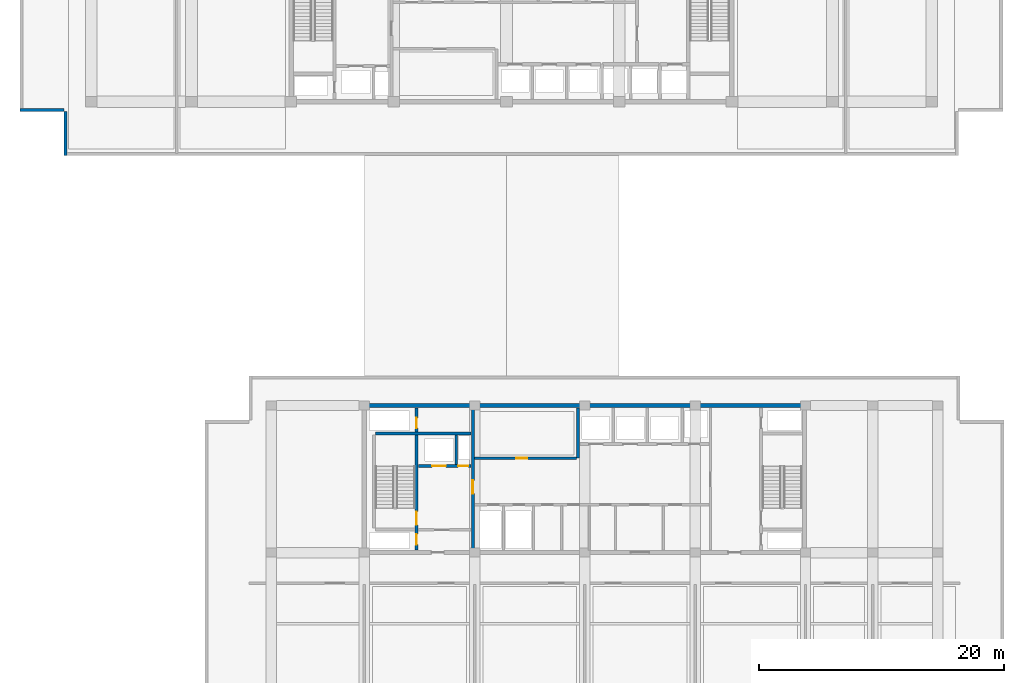
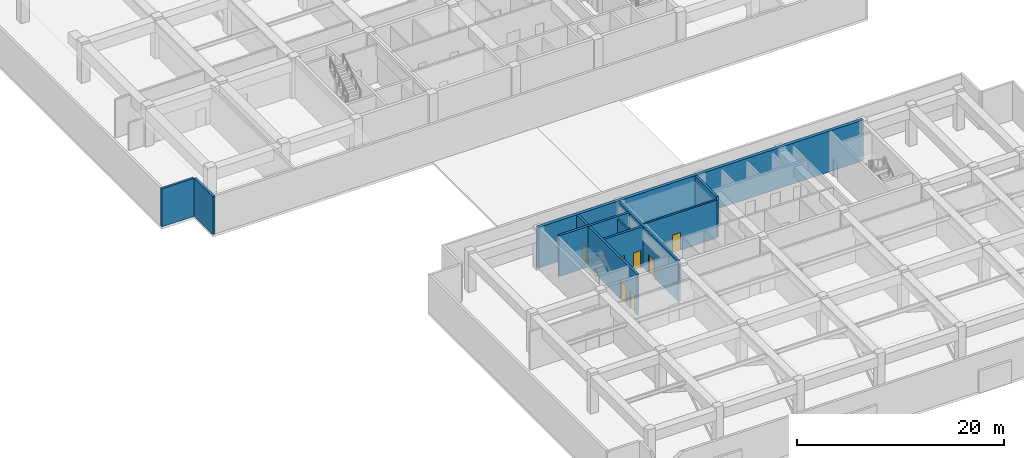
# One storey, part 8 of 22: 10 walls, 7 doors, 7 openings.
"""IFC4 building model written with IfcOpenShell, lengths in metres."""

import ifcopenshell
import ifcopenshell.guid

model = None  # the IFC model being written
_history = None  # IfcOwnerHistory: only IFC2X3 demands one
_inside = {}  # id of a spatial element -> (the spatial element, [elements in it])
_under = {}  # id of a project, library or spatial element -> (it, [spatial elements below it])
_declared = {}  # id of a project -> (the project, [libraries it declares])
_typed = {}  # id of a type object -> (the type object, [elements of that type])
_made_of = {}  # id of a material, layer set ... -> (it, [elements and type objects made of it])


def new_model(schema):
    """Start an empty IFC model of exactly this schema.

    Asked for "IFC4X3", IfcOpenShell would pick the latest addendum, in which some entities
    have other attributes; the version numbers below select the first issue.
    IFC2X3 requires an IfcOwnerHistory on every rooted entity: one is made here for all.
    """
    global model, _history
    if schema == "IFC4X3":
        model = ifcopenshell.file(schema_version=(4, 3, 0, 0))
    else:
        model = ifcopenshell.file(schema=schema)
    _inside.clear()
    _under.clear()
    _declared.clear()
    _typed.clear()
    _made_of.clear()
    _history = None
    if model.schema == "IFC2X3":
        org = make("IfcOrganization", Name="unknown")
        user = make(
            "IfcPersonAndOrganization",
            ThePerson=make("IfcPerson", FamilyName="unknown"),
            TheOrganization=org,
        )
        app = make(
            "IfcApplication",
            ApplicationDeveloper=org,
            Version="unknown",
            ApplicationFullName="unknown",
            ApplicationIdentifier="unknown",
        )
        _history = make(
            "IfcOwnerHistory",
            OwningUser=user,
            OwningApplication=app,
            ChangeAction="ADDED",
            CreationDate=0,
        )
    return model


def make(cls, **values):
    """One entity of the class cls with the attributes given. An attribute that is None is left unset."""
    return model.create_entity(
        cls, **{name: value for name, value in values.items() if value is not None}
    )


def rooted(cls, **values):
    """An entity with a GlobalId (a new one), such as an element, a storey or a relation."""
    return make(cls, GlobalId=ifcopenshell.guid.new(), OwnerHistory=_history, **values)


def si_unit(unit_type, name, prefix=None):
    """IfcSIUnit, for example si_unit("LENGTHUNIT", "METRE", prefix="MILLI")."""
    return make("IfcSIUnit", UnitType=unit_type, Prefix=prefix, Name=name)


def assignment(units):
    """IfcUnitAssignment: the units of a project."""
    return None if units is None else make("IfcUnitAssignment", Units=units)


def point(xyz):
    """IfcCartesianPoint."""
    return None if xyz is None else make("IfcCartesianPoint", Coordinates=xyz)


def direction(xyz):
    """IfcDirection."""
    return None if xyz is None else make("IfcDirection", DirectionRatios=xyz)


def frame(location, z_axis=None, x_axis=None):
    """IfcAxis2Placement3D, a coordinate frame: its origin and axes. An axis left out is left unset."""
    return make(
        "IfcAxis2Placement3D",
        Location=point(location),
        Axis=direction(z_axis),
        RefDirection=direction(x_axis),
    )


def frame_2d(location, x_axis=None):
    """IfcAxis2Placement2D, a coordinate frame in the plane: its origin and x axis."""
    return make(
        "IfcAxis2Placement2D", Location=point(location), RefDirection=direction(x_axis)
    )


def origin():
    """The frame at (0, 0, 0) with its axes left unset."""
    return frame((0.0, 0.0, 0.0))


def place(relative_to, where):
    """IfcLocalPlacement: puts the frame where relative to a parent placement (None: the world)."""
    return make(
        "IfcLocalPlacement", PlacementRelTo=relative_to, RelativePlacement=where
    )


def context(
    kind, dimensions, precision=None, world=None, true_north=None, identifier=None
):
    """IfcGeometricRepresentationContext, for example the 3D "Model" context."""
    return make(
        "IfcGeometricRepresentationContext",
        ContextIdentifier=identifier,
        ContextType=kind,
        CoordinateSpaceDimension=dimensions,
        Precision=precision,
        WorldCoordinateSystem=world,
        TrueNorth=true_north,
    )


def subcontext(parent, identifier, kind, view, scale=None):
    """IfcGeometricRepresentationSubContext, for example "Body" below "Model"."""
    return make(
        "IfcGeometricRepresentationSubContext",
        ContextIdentifier=identifier,
        ContextType=kind,
        ParentContext=parent,
        TargetScale=scale,
        TargetView=view,
    )


def project(units=None, contexts=None):
    """IfcProject with its units and contexts."""
    return rooted(
        "IfcProject",
        Name="project",
        RepresentationContexts=contexts,
        UnitsInContext=assignment(units),
    )


def spatial(cls, under=None, at=None, **own):
    """A site, building, storey or space (cls), placed at a placement, below another one or the project."""
    s = rooted(cls, ObjectPlacement=at, **own)
    if under is not None:
        _under.setdefault(under.id(), (under, []))[1].append(s)
    return s


def profile(cls, at=None, kind="AREA", **sizes):
    """A parametric profile (cls). Its sizes go by their IFC names, for example OverallWidth=200.0."""
    return make(cls, ProfileType=kind, Position=at, **sizes)


def rectangle(**sizes):
    """IfcRectangleProfileDef."""
    return profile("IfcRectangleProfileDef", **sizes)


def extrude(swept, where, along, depth):
    """IfcExtrudedAreaSolid: the profile swept, set in the frame where, extruded along a direction by depth."""
    return make(
        "IfcExtrudedAreaSolid",
        SweptArea=swept,
        Position=where,
        ExtrudedDirection=direction(along),
        Depth=depth,
    )


def shape(context_of_items, identifier, shape_type, items):
    """IfcShapeRepresentation: the items that make up one representation, for example the "Body"."""
    return make(
        "IfcShapeRepresentation",
        ContextOfItems=context_of_items,
        RepresentationIdentifier=identifier,
        RepresentationType=shape_type,
        Items=items,
    )


def material(Name=None, Category=None):
    """IfcMaterial."""
    return make("IfcMaterial", Name=Name, Category=Category)


def layer(
    of_material, thickness, ventilated=None, Name=None, Category=None, Priority=None
):
    """IfcMaterialLayer: one layer of a wall or slab, of a material (None: an air gap)."""
    return make(
        "IfcMaterialLayer",
        Material=of_material,
        LayerThickness=thickness,
        IsVentilated=ventilated,
        Name=Name,
        Category=Category,
        Priority=Priority,
    )


def layer_set(layers, Name=None):
    """IfcMaterialLayerSet."""
    return make("IfcMaterialLayerSet", MaterialLayers=layers, LayerSetName=Name)


def made_of(thing, what):
    """Note that an element or type object is made of a material, layer set ...; save() writes the relation."""
    if what is not None:
        _made_of.setdefault(what.id(), (what, []))[1].append(thing)
    return thing


def type_object(cls, material=None, **own):
    """A type object (cls), such as IfcWallType, which elements share."""
    return made_of(rooted(cls, **own), material)


def element(
    cls,
    number,
    at=None,
    inside=None,
    cuts=None,
    type_object=None,
    material=None,
    context=None,
    identifier="Body",
    shape_type=None,
    held_by="IfcProductDefinitionShape",
    body=None,
    shapes=None,
    **own,
):
    """One element of the class cls, such as IfcWall. Its Tag is "e" and its number.

    at: its placement. inside: the storey or other place that contains it. cuts: it is an
    opening in that element (IfcRelVoidsElement). A single representation is given by context,
    identifier, shape_type and body (its items); several are given by shapes. held_by: the class
    of the entity that holds the representations. save() writes the other relations.
    """
    e = rooted(cls, Tag="e%d" % number, ObjectPlacement=at, **own)
    if body is not None:
        shapes = [shape(context, identifier, shape_type, body)]
    if shapes is not None:
        e.Representation = make(held_by, Representations=shapes)
    if inside is not None:
        _inside.setdefault(inside.id(), (inside, []))[1].append(e)
    if cuts is not None:
        rooted(
            "IfcRelVoidsElement", RelatingBuildingElement=cuts, RelatedOpeningElement=e
        )
    if type_object is not None:
        _typed.setdefault(type_object.id(), (type_object, []))[1].append(e)
    return made_of(e, material)


def fill(opening, filler):
    """IfcRelFillsElement: the door or window that sits in an opening."""
    return rooted(
        "IfcRelFillsElement",
        RelatingOpeningElement=opening,
        RelatedBuildingElement=filler,
    )


def aggregate(whole, parts):
    """IfcRelAggregates: a whole, such as a stair, and the parts it consists of."""
    return rooted("IfcRelAggregates", RelatingObject=whole, RelatedObjects=parts)


def save(model, path):
    """Write the relations noted so far, then the file.

    IfcRelAggregates (storeys below a building ...), IfcRelContainedInSpatialStructure (elements
    in a storey), IfcRelDefinesByType, IfcRelAssociatesMaterial and IfcRelDeclares: one each for
    every whole, place, type object, material and project.
    """
    for whole, parts in _under.values():
        aggregate(whole, parts)
    for where, things in _inside.values():
        rooted(
            "IfcRelContainedInSpatialStructure",
            RelatedElements=things,
            RelatingStructure=where,
        )
    for kind, things in _typed.values():
        rooted("IfcRelDefinesByType", RelatedObjects=things, RelatingType=kind)
    for what, things in _made_of.values():
        rooted("IfcRelAssociatesMaterial", RelatedObjects=things, RelatingMaterial=what)
    for by, libraries in _declared.values():
        rooted("IfcRelDeclares", RelatingContext=by, RelatedDefinitions=libraries)
    model.write(path)


model = new_model("IFC4")

# Units and contexts
model_context = context("Model", 3, precision=1e-05, world=origin(), true_north=direction((0.0, 1.0)))
body_context = subcontext(model_context, "Body", "Model", "MODEL_VIEW")
ifc_project = project(units=[si_unit("LENGTHUNIT", "METRE"), si_unit("AREAUNIT", "SQUARE_METRE"), si_unit("VOLUMEUNIT", "CUBIC_METRE"), si_unit("PLANEANGLEUNIT", "RADIAN"), si_unit("MASSUNIT", "GRAM", prefix="KILO")], contexts=[model_context])

# Site, building, storey
site_placement = place(None, origin())
site = spatial("IfcSite", under=ifc_project, at=site_placement, CompositionType="ELEMENT")
building_placement = place(site_placement, origin())
building = spatial("IfcBuilding", under=site, at=building_placement, Name="Korimba Cascade Residences", CompositionType="ELEMENT")
storey_placement = place(building_placement, frame((0.0, 0.0, 157.300048828125)))
storey = spatial("IfcBuildingStorey", under=building, at=storey_placement, Name="L45", CompositionType="ELEMENT", Elevation=157.300048828125)

# Walls
ifc_material_1 = material(Name="Precast concrete C40/50", Category="concrete")
ifc_layer_1 = layer(ifc_material_1, 0.25)
ifc_layer_set_1 = layer_set([ifc_layer_1], Name="Precast concrete C40/50")
wall_type_1 = type_object("IfcWallType", Name="EW-PLNT-250", PredefinedType="SHEAR", material=ifc_layer_set_1)
wall_1_placement = place(storey_placement, frame((54.0, 54.52490234375, 0.0), z_axis=(0.0, 0.0, 1.0), x_axis=(1.0, 0.0, 0.0)))
element("IfcWall", 1, at=wall_1_placement, inside=storey, type_object=wall_type_1, Name="L45 T1 Perimeter Stone Wall E10", PredefinedType="SHEAR", context=body_context, shape_type="SweptSolid", body=[
    extrude(rectangle(XDim=3.60009765625, YDim=0.25, at=frame_2d((1.800048828125, 0.0))), origin(), (0.0, 0.0, 1.0), 4.47998046875),
])
wall_2_placement = place(storey_placement, frame((57.72509765625, 54.39990234375, 0.0), z_axis=(0.0, 0.0, 1.0), x_axis=(0.0, -1.0, 0.0)))
element("IfcWall", 2, at=wall_2_placement, inside=storey, type_object=wall_type_1, Name="L45 T1 Perimeter Stone Wall E11", PredefinedType="SHEAR", context=body_context, shape_type="SweptSolid", body=[
    extrude(rectangle(XDim=3.599853515625, YDim=0.25, at=frame_2d((1.7998046875, 0.0))), origin(), (0.0, 0.0, 1.0), 4.47998046875),
])
ifc_material_2 = material(Name="Concrete C65/80", Category="concrete")
ifc_layer_2 = layer(ifc_material_2, 0.35009765625)
ifc_layer_set_2 = layer_set([ifc_layer_2], Name="Concrete C65/80")
wall_type_2 = type_object("IfcWallType", Name="WAL-CORE-350", PredefinedType="SHEAR", material=ifc_layer_set_2)
wall_3_placement = place(storey_placement, frame((81.925048828125, 30.39990234375, 0.0), z_axis=(0.0, 0.0, 1.0), x_axis=(1.0, 0.0, 0.0)))
element("IfcWall", 3, at=wall_3_placement, inside=storey, type_object=wall_type_2, Name="L45 Core Shear Wall CW-L45-T2-N", PredefinedType="SHEAR", context=body_context, shape_type="SweptSolid", body=[
    extrude(rectangle(XDim=36.264892578125, YDim=0.35009765625, at=frame_2d((18.13232421875, 0.0))), origin(), (0.0, 0.0, 1.0), 4.800048828125),
])
ifc_material_3 = material(Name="Concrete C40/50", Category="concrete")
ifc_layer_3 = layer(ifc_material_3, 0.199951171875)
ifc_layer_set_3 = layer_set([ifc_layer_3], Name="Concrete C40/50")
wall_type_3 = type_object("IfcWallType", Name="WAL-PART-200", PredefinedType="PARTITIONING", material=ifc_layer_set_3)
wall_4_placement = place(storey_placement, frame((89.60009765625, 25.580078125, 0.0), z_axis=(0.0, 0.0, 1.0), x_axis=(0.0, 1.0, 0.0)))
element("IfcWall", 4, at=wall_4_placement, inside=storey, type_object=wall_type_3, Name="L45 Partition Wall CW-L45-T2-FFLDIV", PredefinedType="PARTITIONING", context=body_context, shape_type="SweptSolid", body=[
    extrude(rectangle(XDim=2.419921875, YDim=0.199951171875, at=frame_2d((1.2099609375, 0.0))), origin(), (0.0, 0.0, 1.0), 4.47998046875),
])

# Wall, opening, door
wall_5_placement = place(storey_placement, frame((91.080078125, 26.10009765625, 0.0), z_axis=(0.0, 0.0, 1.0), x_axis=(1.0, 0.0, 0.0)))
wall_5 = element("IfcWall", 5, at=wall_5_placement, inside=storey, type_object=wall_type_3, Name="L45 Partition Wall CW-L45-T2-B1RS", PredefinedType="PARTITIONING", context=body_context, shape_type="SweptSolid", body=[
    extrude(rectangle(XDim=8.33984375, YDim=0.199951171875, at=frame_2d((4.169921875, 0.0))), origin(), (0.0, 0.0, 1.0), 4.47998046875),
])
opening_1_placement = place(wall_5_placement, frame((3.39990234375, 0.0, 0.0)))
opening_1 = element("IfcOpeningElement", 6, at=opening_1_placement, cuts=wall_5, Name="Opening D-ST1", PredefinedType="OPENING", context=body_context, shape_type="SweptSolid", body=[
    extrude(rectangle(XDim=0.919921875, YDim=2.080078125, at=frame_2d((0.4599609375, 1.0400390625))), frame((0.0, 0.10986328125, 0.0), z_axis=(0.0, -1.0, 0.0), x_axis=(1.0, 0.0, 0.0)), (0.0, 0.0, 1.0), 0.219970703125),
])
ifc_material_4 = material(Name="Fire-Rated Core Store Door", Category="wood")
door_type_1 = type_object("IfcDoorType", Name="DR-FD60-920", OperationType="NOTDEFINED", PredefinedType="DOOR", material=ifc_material_4)
door_1_placement = place(opening_1_placement, origin())
door_1 = element("IfcDoor", 7, at=door_1_placement, inside=storey, type_object=door_type_1, Name="L45 T2 Resident Storage Door", OperationType="SINGLE_SWING_LEFT", OverallHeight=2.080078125, OverallWidth=0.919921875, PredefinedType="DOOR", context=body_context, shape_type="SweptSolid", body=[
    extrude(rectangle(XDim=0.919921875, YDim=2.080078125, at=frame_2d((0.4599609375, 1.0400390625))), frame((0.0, 0.02490234375, 0.0), z_axis=(0.0, -1.0, 0.0), x_axis=(1.0, 0.0, 0.0)), (0.0, 0.0, 1.0), 0.050048828125),
])
fill(opening_1, door_1)

# Wall, openings, doors
ifc_material_5 = material(Name="Concrete C50/60", Category="concrete")
ifc_layer_4 = layer(ifc_material_5, 0.25)
ifc_layer_set_4 = layer_set([ifc_layer_4], Name="Concrete C50/60")
wall_type_4 = type_object("IfcWallType", Name="WAL-SHAFT-250", PredefinedType="SHEAR", material=ifc_layer_set_4)
wall_6_placement = place(storey_placement, frame((86.364990234375, 18.60009765625, 0.0), z_axis=(0.0, 0.0, 1.0), x_axis=(0.0, 1.0, 0.0)))
wall_6 = element("IfcWall", 8, at=wall_6_placement, inside=storey, type_object=wall_type_4, Name="L45 Core Shear Wall CW-L45-T2-STE1E", PredefinedType="SHEAR", context=body_context, shape_type="SweptSolid", body=[
    extrude(rectangle(XDim=11.599853515625, YDim=0.25, at=frame_2d((5.7998046875, 0.0))), origin(), (0.0, 0.0, 1.0), 4.800048828125),
])
opening_2_placement = place(wall_6_placement, frame((0.449951171875, 0.0, 0.0)))
opening_2 = element("IfcOpeningElement", 9, at=opening_2_placement, cuts=wall_6, Name="Opening D-RS1", PredefinedType="OPENING", context=body_context, shape_type="SweptSolid", body=[
    extrude(rectangle(XDim=0.85009765625, YDim=2.050048828125, at=frame_2d((0.425048828125, 1.02490234375))), frame((0.0, 0.135009765625, 0.0), z_axis=(0.0, -1.0, 0.0), x_axis=(1.0, 0.0, 0.0)), (0.0, 0.0, 1.0), 0.27001953125),
])
opening_3_placement = place(wall_6_placement, frame((2.050048828125, 0.0, 0.0)))
opening_3 = element("IfcOpeningElement", 10, at=opening_3_placement, cuts=wall_6, Name="Opening D-FD1", PredefinedType="OPENING", context=body_context, shape_type="SweptSolid", body=[
    extrude(rectangle(XDim=1.10009765625, YDim=2.10009765625, at=frame_2d((0.550048828125, 1.050048828125))), frame((0.0, 0.135009765625, 0.0), z_axis=(0.0, -1.0, 0.0), x_axis=(1.0, 0.0, 0.0)), (0.0, 0.0, 1.0), 0.27001953125),
])
opening_4_placement = place(wall_6_placement, frame((9.949951171875, 0.0, 0.0)))
opening_4 = element("IfcOpeningElement", 11, at=opening_4_placement, cuts=wall_6, Name="Opening D-RS1", PredefinedType="OPENING", context=body_context, shape_type="SweptSolid", body=[
    extrude(rectangle(XDim=0.85009765625, YDim=2.050048828125, at=frame_2d((0.425048828125, 1.02490234375))), frame((0.0, 0.135009765625, 0.0), z_axis=(0.0, -1.0, 0.0), x_axis=(1.0, 0.0, 0.0)), (0.0, 0.0, 1.0), 0.27001953125),
])
ifc_material_6 = material(Name="Fire-Rated Steel Core Door", Category="steel")
door_type_2 = type_object("IfcDoorType", Name="DR-FD120-1100", OperationType="NOTDEFINED", PredefinedType="DOOR", material=ifc_material_6)
door_2_placement = place(opening_3_placement, origin())
door_2 = element("IfcDoor", 12, at=door_2_placement, inside=storey, type_object=door_type_2, Name="L45 Fire Stair ST-E1 Door", OperationType="SINGLE_SWING_RIGHT", OverallHeight=2.10009765625, OverallWidth=1.10009765625, PredefinedType="DOOR", context=body_context, shape_type="SweptSolid", body=[
    extrude(rectangle(XDim=1.10009765625, YDim=2.10009765625, at=frame_2d((0.550048828125, 1.050048828125))), frame((0.0, 0.02490234375, 0.0), z_axis=(0.0, -1.0, 0.0), x_axis=(1.0, 0.0, 0.0)), (0.0, 0.0, 1.0), 0.050048828125),
])
fill(opening_3, door_2)
ifc_material_7 = material(Name="Fire-Rated Steel Riser Access Door", Category="steel")
door_type_3 = type_object("IfcDoorType", Name="DR-FD60-850", OperationType="NOTDEFINED", PredefinedType="DOOR", material=ifc_material_7)
door_3_placement = place(opening_2_placement, origin())
door_3 = element("IfcDoor", 13, at=door_3_placement, inside=storey, type_object=door_type_3, Name="L45 T2 Hydrant Riser Door", OperationType="SINGLE_SWING_LEFT", OverallHeight=2.050048828125, OverallWidth=0.85009765625, PredefinedType="DOOR", context=body_context, shape_type="SweptSolid", body=[
    extrude(rectangle(XDim=0.85009765625, YDim=2.050048828125, at=frame_2d((0.425048828125, 1.02490234375))), frame((0.0, 0.02490234375, 0.0), z_axis=(0.0, -1.0, 0.0), x_axis=(1.0, 0.0, 0.0)), (0.0, 0.0, 1.0), 0.050048828125),
])
fill(opening_2, door_3)
door_4_placement = place(opening_4_placement, origin())
door_4 = element("IfcDoor", 14, at=door_4_placement, inside=storey, type_object=door_type_3, Name="L45 T2 Smoke Shaft Door", OperationType="SINGLE_SWING_LEFT", OverallHeight=2.050048828125, OverallWidth=0.85009765625, PredefinedType="DOOR", context=body_context, shape_type="SweptSolid", body=[
    extrude(rectangle(XDim=0.85009765625, YDim=2.050048828125, at=frame_2d((0.425048828125, 1.02490234375))), frame((0.0, 0.02490234375, 0.0), z_axis=(0.0, -1.0, 0.0), x_axis=(1.0, 0.0, 0.0)), (0.0, 0.0, 1.0), 0.050048828125),
])
fill(opening_4, door_4)

# Wall
wall_7_placement = place(storey_placement, frame((83.0, 28.125, 0.0), z_axis=(0.0, 0.0, 1.0), x_axis=(1.0, 0.0, 0.0)))
element("IfcWall", 15, at=wall_7_placement, inside=storey, type_object=wall_type_4, Name="L45 Core Shear Wall CW-L45-T2-STE1N", PredefinedType="SHEAR", context=body_context, shape_type="SweptSolid", body=[
    extrude(rectangle(XDim=7.820068359375, YDim=0.25, at=frame_2d((3.91015625, 0.0))), origin(), (0.0, 0.0, 1.0), 4.800048828125),
])

# Wall, openings, doors
wall_8_placement = place(storey_placement, frame((86.5, 25.449951171875, 0.0), z_axis=(0.0, 0.0, 1.0), x_axis=(1.0, 0.0, 0.0)))
wall_8 = element("IfcWall", 16, at=wall_8_placement, inside=storey, type_object=wall_type_4, Name="L45 Core Shear Wall CW-L45-T2-FFLN", PredefinedType="SHEAR", context=body_context, shape_type="SweptSolid", body=[
    extrude(rectangle(XDim=4.320068359375, YDim=0.25, at=frame_2d((2.16015625, 0.0))), origin(), (0.0, 0.0, 1.0), 4.800048828125),
])
opening_5_placement = place(wall_8_placement, frame((1.139892578125, 0.0, 0.0)))
opening_5 = element("IfcOpeningElement", 17, at=opening_5_placement, cuts=wall_8, Name="Opening LD-01", PredefinedType="OPENING", context=body_context, shape_type="SweptSolid", body=[
    extrude(rectangle(XDim=1.1201171875, YDim=2.1201171875, at=frame_2d((0.56005859375, 1.06005859375))), frame((0.0, 0.135009765625, 0.0), z_axis=(0.0, -1.0, 0.0), x_axis=(1.0, 0.0, 0.0)), (0.0, 0.0, 1.0), 0.27001953125),
])
opening_6_placement = place(wall_8_placement, frame((3.25, 0.0, 0.0)))
opening_6 = element("IfcOpeningElement", 18, at=opening_6_placement, cuts=wall_8, Name="Opening D-RS1", PredefinedType="OPENING", context=body_context, shape_type="SweptSolid", body=[
    extrude(rectangle(XDim=0.85009765625, YDim=2.050048828125, at=frame_2d((0.425048828125, 1.02490234375))), frame((0.0, 0.135009765625, 0.0), z_axis=(0.0, -1.0, 0.0), x_axis=(1.0, 0.0, 0.0)), (0.0, 0.0, 1.0), 0.27001953125),
])
door_5_placement = place(opening_6_placement, origin())
door_5 = element("IfcDoor", 19, at=door_5_placement, inside=storey, type_object=door_type_3, Name="L45 T2 Pressurisation Riser Door", OperationType="SINGLE_SWING_RIGHT", OverallHeight=2.050048828125, OverallWidth=0.85009765625, PredefinedType="DOOR", context=body_context, shape_type="SweptSolid", body=[
    extrude(rectangle(XDim=0.85009765625, YDim=2.050048828125, at=frame_2d((0.425048828125, 1.02490234375))), frame((0.0, 0.02490234375, 0.0), z_axis=(0.0, -1.0, 0.0), x_axis=(1.0, 0.0, 0.0)), (0.0, 0.0, 1.0), 0.050048828125),
])
fill(opening_6, door_5)
ifc_material_8 = material(Name="Stainless Steel Lift Landing Sliding Door", Category="steel")
door_type_4 = type_object("IfcDoorType", Name="DR-LIFT-1100", OperationType="NOTDEFINED", PredefinedType="DOOR", material=ifc_material_8)
door_6_placement = place(opening_5_placement, origin())
door_6 = element("IfcDoor", 20, at=door_6_placement, inside=storey, type_object=door_type_4, Name="L45 Firefighting Lift Landing Door FFL-E1", OperationType="SLIDING_TO_RIGHT", OverallHeight=2.1201171875, OverallWidth=1.1201171875, PredefinedType="DOOR", context=body_context, shape_type="SweptSolid", body=[
    extrude(rectangle(XDim=1.1201171875, YDim=2.1201171875, at=frame_2d((0.56005859375, 1.06005859375))), frame((0.0, 0.02490234375, 0.0), z_axis=(0.0, -1.0, 0.0), x_axis=(1.0, 0.0, 0.0)), (0.0, 0.0, 1.0), 0.050048828125),
])
fill(opening_5, door_6)

# Wall, opening, door
wall_9_placement = place(storey_placement, frame((90.949951171875, 18.60009765625, 0.0), z_axis=(0.0, 0.0, 1.0), x_axis=(0.0, 1.0, 0.0)))
wall_9 = element("IfcWall", 21, at=wall_9_placement, inside=storey, type_object=wall_type_4, Name="L45 Core Shear Wall CW-L45-T2-FFLE", PredefinedType="SHEAR", context=body_context, shape_type="SweptSolid", body=[
    extrude(rectangle(XDim=11.599853515625, YDim=0.25, at=frame_2d((5.7998046875, 0.0))), origin(), (0.0, 0.0, 1.0), 4.800048828125),
])
opening_7_placement = place(wall_9_placement, frame((4.60009765625, 0.0, 0.0)))
opening_7 = element("IfcOpeningElement", 22, at=opening_7_placement, cuts=wall_9, Name="Opening D-FD1", PredefinedType="OPENING", context=body_context, shape_type="SweptSolid", body=[
    extrude(rectangle(XDim=1.10009765625, YDim=2.10009765625, at=frame_2d((0.550048828125, 1.050048828125))), frame((0.0, 0.135009765625, 0.0), z_axis=(0.0, -1.0, 0.0), x_axis=(1.0, 0.0, 0.0)), (0.0, 0.0, 1.0), 0.27001953125),
])
door_7_placement = place(opening_7_placement, origin())
door_7 = element("IfcDoor", 23, at=door_7_placement, inside=storey, type_object=door_type_2, Name="L45 T2 Firefighting Lobby to Lift Lobby Door", OperationType="SINGLE_SWING_RIGHT", OverallHeight=2.10009765625, OverallWidth=1.10009765625, PredefinedType="DOOR", context=body_context, shape_type="SweptSolid", body=[
    extrude(rectangle(XDim=1.10009765625, YDim=2.10009765625, at=frame_2d((0.550048828125, 1.050048828125))), frame((0.0, 0.02490234375, 0.0), z_axis=(0.0, -1.0, 0.0), x_axis=(1.0, 0.0, 0.0)), (0.0, 0.0, 1.0), 0.050048828125),
])
fill(opening_7, door_7)

# Wall
wall_10_placement = place(storey_placement, frame((99.550048828125, 26.10009765625, 0.0), z_axis=(0.0, 0.0, 1.0), x_axis=(0.0, 1.0, 0.0)))
element("IfcWall", 24, at=wall_10_placement, inside=storey, type_object=wall_type_4, Name="L45 Core Shear Wall CW-L45-T2-B12DIV", PredefinedType="SHEAR", context=body_context, shape_type="SweptSolid", body=[
    extrude(rectangle(XDim=4.099853515625, YDim=0.25, at=frame_2d((2.0498046875, 0.0))), origin(), (0.0, 0.0, 1.0), 4.800048828125),
])

save(model, "model.ifc")
